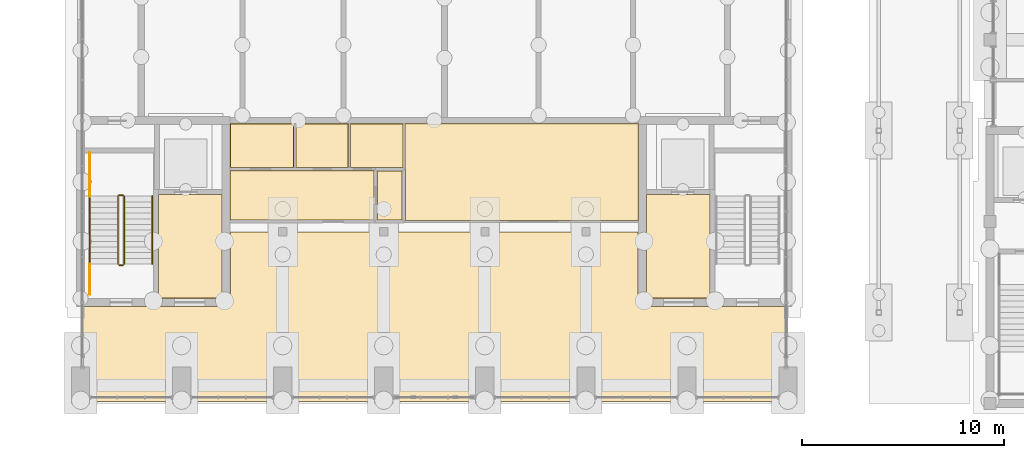
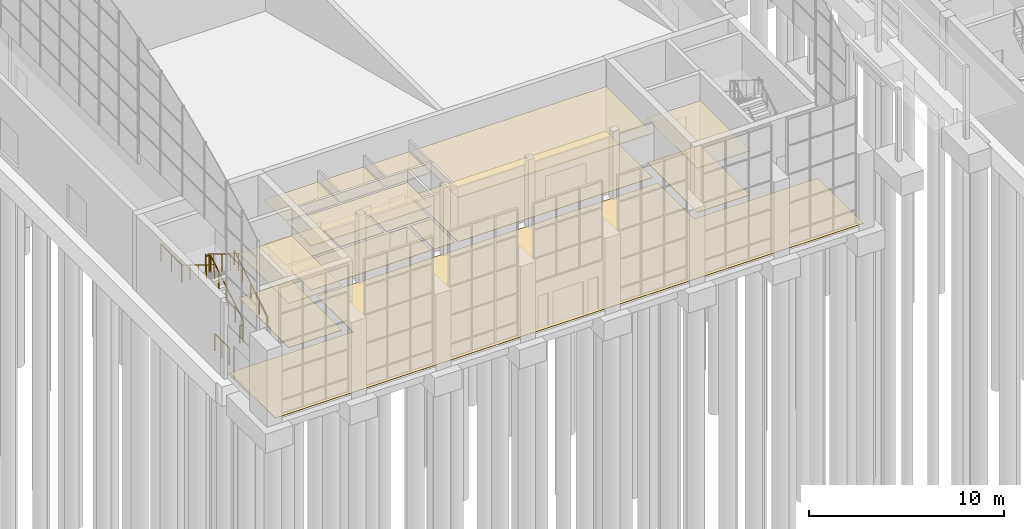
# One storey, part 83 of 106: 16 coverings, 8 railings.
"""IFC4 building model written with IfcOpenShell, lengths in metres."""

import ifcopenshell
import ifcopenshell.guid

model = None  # the IFC model being written
_history = None  # IfcOwnerHistory: only IFC2X3 demands one
_inside = {}  # id of a spatial element -> (the spatial element, [elements in it])
_under = {}  # id of a project, library or spatial element -> (it, [spatial elements below it])
_declared = {}  # id of a project -> (the project, [libraries it declares])
_typed = {}  # id of a type object -> (the type object, [elements of that type])
_made_of = {}  # id of a material, layer set ... -> (it, [elements and type objects made of it])


def new_model(schema):
    """Start an empty IFC model of exactly this schema.

    Asked for "IFC4X3", IfcOpenShell would pick the latest addendum, in which some entities
    have other attributes; the version numbers below select the first issue.
    IFC2X3 requires an IfcOwnerHistory on every rooted entity: one is made here for all.
    """
    global model, _history
    if schema == "IFC4X3":
        model = ifcopenshell.file(schema_version=(4, 3, 0, 0))
    else:
        model = ifcopenshell.file(schema=schema)
    _inside.clear()
    _under.clear()
    _declared.clear()
    _typed.clear()
    _made_of.clear()
    _history = None
    if model.schema == "IFC2X3":
        org = make("IfcOrganization", Name="unknown")
        user = make(
            "IfcPersonAndOrganization",
            ThePerson=make("IfcPerson", FamilyName="unknown"),
            TheOrganization=org,
        )
        app = make(
            "IfcApplication",
            ApplicationDeveloper=org,
            Version="unknown",
            ApplicationFullName="unknown",
            ApplicationIdentifier="unknown",
        )
        _history = make(
            "IfcOwnerHistory",
            OwningUser=user,
            OwningApplication=app,
            ChangeAction="ADDED",
            CreationDate=0,
        )
    return model


def make(cls, **values):
    """One entity of the class cls with the attributes given. An attribute that is None is left unset."""
    return model.create_entity(
        cls, **{name: value for name, value in values.items() if value is not None}
    )


def rooted(cls, **values):
    """An entity with a GlobalId (a new one), such as an element, a storey or a relation."""
    return make(cls, GlobalId=ifcopenshell.guid.new(), OwnerHistory=_history, **values)


def si_unit(unit_type, name, prefix=None):
    """IfcSIUnit, for example si_unit("LENGTHUNIT", "METRE", prefix="MILLI")."""
    return make("IfcSIUnit", UnitType=unit_type, Prefix=prefix, Name=name)


def assignment(units):
    """IfcUnitAssignment: the units of a project."""
    return None if units is None else make("IfcUnitAssignment", Units=units)


def point(xyz):
    """IfcCartesianPoint."""
    return None if xyz is None else make("IfcCartesianPoint", Coordinates=xyz)


def direction(xyz):
    """IfcDirection."""
    return None if xyz is None else make("IfcDirection", DirectionRatios=xyz)


def frame(location, z_axis=None, x_axis=None):
    """IfcAxis2Placement3D, a coordinate frame: its origin and axes. An axis left out is left unset."""
    return make(
        "IfcAxis2Placement3D",
        Location=point(location),
        Axis=direction(z_axis),
        RefDirection=direction(x_axis),
    )


def frame_2d(location, x_axis=None):
    """IfcAxis2Placement2D, a coordinate frame in the plane: its origin and x axis."""
    return make(
        "IfcAxis2Placement2D", Location=point(location), RefDirection=direction(x_axis)
    )


def origin():
    """The frame at (0, 0, 0) with its axes left unset."""
    return frame((0.0, 0.0, 0.0))


def origin_2d():
    """The frame at (0, 0) in the plane with its x axis left unset."""
    return frame_2d((0.0, 0.0))


def place(relative_to, where):
    """IfcLocalPlacement: puts the frame where relative to a parent placement (None: the world)."""
    return make(
        "IfcLocalPlacement", PlacementRelTo=relative_to, RelativePlacement=where
    )


def context(
    kind, dimensions, precision=None, world=None, true_north=None, identifier=None
):
    """IfcGeometricRepresentationContext, for example the 3D "Model" context."""
    return make(
        "IfcGeometricRepresentationContext",
        ContextIdentifier=identifier,
        ContextType=kind,
        CoordinateSpaceDimension=dimensions,
        Precision=precision,
        WorldCoordinateSystem=world,
        TrueNorth=true_north,
    )


def subcontext(parent, identifier, kind, view, scale=None):
    """IfcGeometricRepresentationSubContext, for example "Body" below "Model"."""
    return make(
        "IfcGeometricRepresentationSubContext",
        ContextIdentifier=identifier,
        ContextType=kind,
        ParentContext=parent,
        TargetScale=scale,
        TargetView=view,
    )


def project(units=None, contexts=None):
    """IfcProject with its units and contexts."""
    return rooted(
        "IfcProject",
        Name="project",
        RepresentationContexts=contexts,
        UnitsInContext=assignment(units),
    )


def spatial(cls, under=None, at=None, **own):
    """A site, building, storey or space (cls), placed at a placement, below another one or the project."""
    s = rooted(cls, ObjectPlacement=at, **own)
    if under is not None:
        _under.setdefault(under.id(), (under, []))[1].append(s)
    return s


def polyline(points):
    """IfcPolyline through the points."""
    return make("IfcPolyline", Points=[point(p) for p in points])


def profile(cls, at=None, kind="AREA", **sizes):
    """A parametric profile (cls). Its sizes go by their IFC names, for example OverallWidth=200.0."""
    return make(cls, ProfileType=kind, Position=at, **sizes)


def circle(**sizes):
    """IfcCircleProfileDef."""
    return profile("IfcCircleProfileDef", **sizes)


def outline(outer, holes=None, kind="AREA"):
    """IfcArbitraryClosedProfileDef: a profile drawn as a closed curve; with holes, ...WithVoids."""
    if holes is None:
        return make("IfcArbitraryClosedProfileDef", ProfileType=kind, OuterCurve=outer)
    return make(
        "IfcArbitraryProfileDefWithVoids",
        ProfileType=kind,
        OuterCurve=outer,
        InnerCurves=holes,
    )


def extrude(swept, where, along, depth):
    """IfcExtrudedAreaSolid: the profile swept, set in the frame where, extruded along a direction by depth."""
    return make(
        "IfcExtrudedAreaSolid",
        SweptArea=swept,
        Position=where,
        ExtrudedDirection=direction(along),
        Depth=depth,
    )


def shape(context_of_items, identifier, shape_type, items):
    """IfcShapeRepresentation: the items that make up one representation, for example the "Body"."""
    return make(
        "IfcShapeRepresentation",
        ContextOfItems=context_of_items,
        RepresentationIdentifier=identifier,
        RepresentationType=shape_type,
        Items=items,
    )


def material(Name=None, Category=None):
    """IfcMaterial."""
    return make("IfcMaterial", Name=Name, Category=Category)


def layer(
    of_material, thickness, ventilated=None, Name=None, Category=None, Priority=None
):
    """IfcMaterialLayer: one layer of a wall or slab, of a material (None: an air gap)."""
    return make(
        "IfcMaterialLayer",
        Material=of_material,
        LayerThickness=thickness,
        IsVentilated=ventilated,
        Name=Name,
        Category=Category,
        Priority=Priority,
    )


def layer_set(layers, Name=None):
    """IfcMaterialLayerSet."""
    return make("IfcMaterialLayerSet", MaterialLayers=layers, LayerSetName=Name)


def made_of(thing, what):
    """Note that an element or type object is made of a material, layer set ...; save() writes the relation."""
    if what is not None:
        _made_of.setdefault(what.id(), (what, []))[1].append(thing)
    return thing


def type_object(cls, material=None, **own):
    """A type object (cls), such as IfcWallType, which elements share."""
    return made_of(rooted(cls, **own), material)


def element(
    cls,
    number,
    at=None,
    inside=None,
    cuts=None,
    type_object=None,
    material=None,
    context=None,
    identifier="Body",
    shape_type=None,
    held_by="IfcProductDefinitionShape",
    body=None,
    shapes=None,
    **own,
):
    """One element of the class cls, such as IfcWall. Its Tag is "e" and its number.

    at: its placement. inside: the storey or other place that contains it. cuts: it is an
    opening in that element (IfcRelVoidsElement). A single representation is given by context,
    identifier, shape_type and body (its items); several are given by shapes. held_by: the class
    of the entity that holds the representations. save() writes the other relations.
    """
    e = rooted(cls, Tag="e%d" % number, ObjectPlacement=at, **own)
    if body is not None:
        shapes = [shape(context, identifier, shape_type, body)]
    if shapes is not None:
        e.Representation = make(held_by, Representations=shapes)
    if inside is not None:
        _inside.setdefault(inside.id(), (inside, []))[1].append(e)
    if cuts is not None:
        rooted(
            "IfcRelVoidsElement", RelatingBuildingElement=cuts, RelatedOpeningElement=e
        )
    if type_object is not None:
        _typed.setdefault(type_object.id(), (type_object, []))[1].append(e)
    return made_of(e, material)


def aggregate(whole, parts):
    """IfcRelAggregates: a whole, such as a stair, and the parts it consists of."""
    return rooted("IfcRelAggregates", RelatingObject=whole, RelatedObjects=parts)


def save(model, path):
    """Write the relations noted so far, then the file.

    IfcRelAggregates (storeys below a building ...), IfcRelContainedInSpatialStructure (elements
    in a storey), IfcRelDefinesByType, IfcRelAssociatesMaterial and IfcRelDeclares: one each for
    every whole, place, type object, material and project.
    """
    for whole, parts in _under.values():
        aggregate(whole, parts)
    for where, things in _inside.values():
        rooted(
            "IfcRelContainedInSpatialStructure",
            RelatedElements=things,
            RelatingStructure=where,
        )
    for kind, things in _typed.values():
        rooted("IfcRelDefinesByType", RelatedObjects=things, RelatingType=kind)
    for what, things in _made_of.values():
        rooted("IfcRelAssociatesMaterial", RelatedObjects=things, RelatingMaterial=what)
    for by, libraries in _declared.values():
        rooted("IfcRelDeclares", RelatingContext=by, RelatedDefinitions=libraries)
    model.write(path)


model = new_model("IFC4")

# Units and contexts
model_context = context("Model", 3, precision=1e-05, world=origin(), true_north=direction((0.0, 1.0)))
body_context = subcontext(model_context, "Body", "Model", "MODEL_VIEW")
ifc_project = project(units=[si_unit("LENGTHUNIT", "METRE"), si_unit("AREAUNIT", "SQUARE_METRE"), si_unit("VOLUMEUNIT", "CUBIC_METRE"), si_unit("PLANEANGLEUNIT", "RADIAN"), si_unit("MASSUNIT", "GRAM", prefix="KILO")], contexts=[model_context])

# Site, building, storey
site_placement = place(None, origin())
site = spatial("IfcSite", under=ifc_project, at=site_placement, CompositionType="ELEMENT")
building_placement = place(site_placement, origin())
building = spatial("IfcBuilding", under=site, at=building_placement, Name="Merrow Basin Faculty of Sciences", CompositionType="ELEMENT")
storey_placement = place(building_placement, origin())
storey = spatial("IfcBuildingStorey", under=building, at=storey_placement, Name="L00", CompositionType="ELEMENT", Elevation=0.0)

# Coverings
ifc_material_1 = material(Name="Ceramic floor tile")
ifc_layer_1 = layer(ifc_material_1, 0.02001953125)
ifc_layer_set_1 = layer_set([ifc_layer_1], Name="Ceramic floor tile")
covering_type_1 = type_object("IfcCoveringType", Name="Ceramic floor tile", PredefinedType="FLOORING", material=ifc_layer_set_1)
covering_1_placement = place(storey_placement, origin())
element("IfcCovering", 1, at=covering_1_placement, inside=storey, type_object=covering_type_1, Name="Floor finish L00-H-015", PredefinedType="FLOORING", context=body_context, shape_type="SweptSolid", body=[
    extrude(outline(polyline([(10.5400390625, 11.68505859375), (7.409912109375, 11.68505859375), (7.409912109375, 13.840087890625), (10.5400390625, 13.840087890625), (10.5400390625, 11.68505859375)])), origin(), (0.0, 0.0, 1.0), 0.02001953125),
])
covering_2_placement = place(storey_placement, origin())
element("IfcCovering", 2, at=covering_2_placement, inside=storey, type_object=covering_type_1, Name="Floor finish L00-H-016", PredefinedType="FLOORING", context=body_context, shape_type="SweptSolid", body=[
    extrude(outline(polyline([(10.659912109375, 11.68505859375), (10.659912109375, 13.840087890625), (13.239990234375, 13.840087890625), (13.239990234375, 11.68505859375), (10.659912109375, 11.68505859375)])), origin(), (0.0, 0.0, 1.0), 0.02001953125),
])
covering_3_placement = place(storey_placement, origin())
element("IfcCovering", 3, at=covering_3_placement, inside=storey, type_object=covering_type_1, Name="Floor finish L00-H-017", PredefinedType="FLOORING", context=body_context, shape_type="SweptSolid", body=[
    extrude(outline(polyline([(13.360107421875, 11.68505859375), (13.360107421875, 13.840087890625), (15.93994140625, 13.840087890625), (15.93994140625, 11.68505859375), (13.360107421875, 11.68505859375)])), origin(), (0.0, 0.0, 1.0), 0.02001953125),
])
ifc_material_2 = material(Name="Polished terrazzo floor")
ifc_layer_2 = layer(ifc_material_2, 0.02001953125)
ifc_layer_set_2 = layer_set([ifc_layer_2], Name="Polished terrazzo floor")
covering_type_2 = type_object("IfcCoveringType", Name="Polished terrazzo floor", PredefinedType="FLOORING", material=ifc_layer_set_2)
covering_4_placement = place(storey_placement, origin())
element("IfcCovering", 4, at=covering_4_placement, inside=storey, type_object=covering_type_2, Name="Floor finish L00-H-003", PredefinedType="FLOORING", context=body_context, shape_type="SweptSolid", body=[
    extrude(outline(polyline([(3.860107421875, 5.2099609375), (3.860107421875, 10.340087890625), (6.989990234375, 10.340087890625), (6.989990234375, 5.2099609375), (3.860107421875, 5.2099609375)])), origin(), (0.0, 0.0, 1.0), 0.02001953125),
])
covering_5_placement = place(storey_placement, origin())
element("IfcCovering", 5, at=covering_5_placement, inside=storey, type_object=covering_type_2, Name="Floor finish L00-H-007", PredefinedType="FLOORING", context=body_context, shape_type="SweptSolid", body=[
    extrude(outline(polyline([(31.139892578125, 5.2099609375), (28.010009765625, 5.2099609375), (28.010009765625, 10.340087890625), (31.139892578125, 10.340087890625), (31.139892578125, 5.2099609375)])), origin(), (0.0, 0.0, 1.0), 0.02001953125),
])
covering_6_placement = place(storey_placement, origin())
element("IfcCovering", 6, at=covering_6_placement, inside=storey, type_object=covering_type_2, Name="Floor finish L00-H-013", PredefinedType="FLOORING", context=body_context, shape_type="SweptSolid", body=[
    extrude(outline(polyline([(27.590087890625, 8.489990234375), (27.590087890625, 4.7900390625), (34.889892578125, 4.7900390625), (34.889892578125, 0.110107421875), (0.110107421875, 0.110107421875), (0.110107421875, 4.7900390625), (7.409912109375, 4.7900390625), (7.409912109375, 8.489990234375), (27.590087890625, 8.489990234375)])), origin(), (0.0, 0.0, 1.0), 0.02001953125),
])
covering_7_placement = place(storey_placement, origin())
element("IfcCovering", 7, at=covering_7_placement, inside=storey, type_object=covering_type_2, Name="Floor finish L00-H-014", PredefinedType="FLOORING", context=body_context, shape_type="SweptSolid", body=[
    extrude(outline(polyline([(7.409912109375, 9.0849609375), (7.409912109375, 11.514892578125), (14.514892578125, 11.514892578125), (14.514892578125, 9.0849609375), (7.409912109375, 9.0849609375)])), origin(), (0.0, 0.0, 1.0), 0.02001953125),
])
covering_8_placement = place(storey_placement, origin())
element("IfcCovering", 8, at=covering_8_placement, inside=storey, type_object=covering_type_2, Name="Floor finish L00-H-019", PredefinedType="FLOORING", context=body_context, shape_type="SweptSolid", body=[
    extrude(outline(polyline([(16.06005859375, 13.840087890625), (27.590087890625, 13.840087890625), (27.590087890625, 9.06005859375), (16.0849609375, 9.06005859375), (16.0849609375, 11.610107421875), (16.06005859375, 11.610107421875), (16.06005859375, 13.840087890625)])), origin(), (0.0, 0.0, 1.0), 0.02001953125),
])
ifc_material_3 = material(Name="Sealed concrete floor", Category="concrete")
ifc_layer_3 = layer(ifc_material_3, 0.02001953125)
ifc_layer_set_3 = layer_set([ifc_layer_3], Name="Sealed concrete floor")
covering_type_3 = type_object("IfcCoveringType", Name="Sealed concrete floor", PredefinedType="FLOORING", material=ifc_layer_set_3)
covering_9_placement = place(storey_placement, origin())
element("IfcCovering", 9, at=covering_9_placement, inside=storey, type_object=covering_type_3, Name="Floor finish L00-H-018", PredefinedType="FLOORING", context=body_context, shape_type="SweptSolid", body=[
    extrude(outline(polyline([(14.68505859375, 9.0849609375), (14.68505859375, 11.514892578125), (15.9150390625, 11.514892578125), (15.9150390625, 9.0849609375), (14.68505859375, 9.0849609375)])), origin(), (0.0, 0.0, 1.0), 0.02001953125),
])

# Railings
ifc_material_4 = material(Name="Steel ASTM A36", Category="steel")
railing_type_1 = type_object("IfcRailingType", Name="Steel guard 1100", PredefinedType="GUARDRAIL", material=ifc_material_4)
railing_1_placement = place(storey_placement, frame((2.14990234375, 6.89990234375, 0.173095703125)))
element("IfcRailing", 10, at=railing_1_placement, inside=storey, type_object=railing_type_1, Name="L00 ST-V1-W stair guard 1", PredefinedType="GUARDRAIL", context=body_context, shape_type="SweptSolid", body=[
    extrude(circle(Radius=0.02392578125, at=origin_2d()), frame((0.0, 0.0, 1.076171875), z_axis=(0.0, 0.850623216509, 0.525775754039), x_axis=(-1.0, 0.0, 0.0)), (0.0, 0.0, 1.0), 3.9501953125),
    extrude(circle(Radius=0.02099609375, at=origin_2d()), origin(), (0.0, 0.0, 1.0), 1.052001953125),
    extrude(circle(Radius=0.02099609375, at=origin_2d()), frame((0.0, 0.840087890625, 0.519287109375)), (0.0, 0.0, 1.0), 1.052001953125),
    extrude(circle(Radius=0.02099609375, at=origin_2d()), frame((0.0, 1.68017578125, 1.03857421875)), (0.0, 0.0, 1.0), 1.052001953125),
    extrude(circle(Radius=0.02099609375, at=origin_2d()), frame((0.0, 2.52001953125, 1.5576171875)), (0.0, 0.0, 1.0), 1.052001953125),
    extrude(circle(Radius=0.02099609375, at=origin_2d()), frame((0.0, 3.360107421875, 2.076904296875)), (0.0, 0.0, 1.0), 1.052001953125),
])
railing_2_placement = place(storey_placement, frame((2.10009765625, 10.31005859375, 2.25)))
element("IfcRailing", 11, at=railing_2_placement, inside=storey, type_object=railing_type_1, Name="L00 ST-V1-W stair guard 2", PredefinedType="GUARDRAIL", context=body_context, shape_type="SweptSolid", body=[
    extrude(circle(Radius=0.02392578125, at=origin_2d()), frame((0.0, 0.0, 1.076171875), z_axis=(-1.0, 0.0, 0.0), x_axis=(0.0, -1.0, 0.0)), (0.0, 0.0, 1.0), 0.2001953125),
    extrude(circle(Radius=0.02099609375, at=origin_2d()), origin(), (0.0, 0.0, 1.0), 1.052001953125),
    extrude(circle(Radius=0.02099609375, at=origin_2d()), frame((-0.2001953125, 0.0, 0.0)), (0.0, 0.0, 1.0), 1.052001953125),
])
railing_3_placement = place(storey_placement, frame((0.449951171875, 10.260009765625, 2.25)))
element("IfcRailing", 12, at=railing_3_placement, inside=storey, type_object=railing_type_1, Name="L00 ST-V1-W stair guard 3", PredefinedType="GUARDRAIL", context=body_context, shape_type="SweptSolid", body=[
    extrude(circle(Radius=0.02392578125, at=origin_2d()), frame((0.0, 0.0, 1.076171875), z_axis=(0.0, 1.0, 0.0), x_axis=(-1.0, 0.0, 0.0)), (0.0, 0.0, 1.0), 2.139892578125),
    extrude(circle(Radius=0.02099609375, at=origin_2d()), origin(), (0.0, 0.0, 1.0), 1.052001953125),
    extrude(circle(Radius=0.02099609375, at=origin_2d()), frame((0.0, 1.06982421875, 0.0)), (0.0, 0.0, 1.0), 1.052001953125),
    extrude(circle(Radius=0.02099609375, at=origin_2d()), frame((0.0, 2.139892578125, 0.0)), (0.0, 0.0, 1.0), 1.052001953125),
])
railing_4_placement = place(storey_placement, frame((1.85009765625, 10.260009765625, 2.423095703125)))
element("IfcRailing", 13, at=railing_4_placement, inside=storey, type_object=railing_type_1, Name="L00 ST-V1-W stair guard 4", PredefinedType="GUARDRAIL", context=body_context, shape_type="SweptSolid", body=[
    extrude(circle(Radius=0.02392578125, at=origin_2d()), frame((0.0, 0.0, 1.076171875), z_axis=(0.0, -0.850623216509, 0.525775754039), x_axis=(1.0, 0.0, 0.0)), (0.0, 0.0, 1.0), 3.9501953125),
    extrude(circle(Radius=0.02099609375, at=origin_2d()), origin(), (0.0, 0.0, 1.0), 1.052001953125),
    extrude(circle(Radius=0.02099609375, at=origin_2d()), frame((0.0, -0.840087890625, 0.519287109375)), (0.0, 0.0, 1.0), 1.052001953125),
    extrude(circle(Radius=0.02099609375, at=origin_2d()), frame((0.0, -1.68017578125, 1.03857421875)), (0.0, 0.0, 1.0), 1.052001953125),
    extrude(circle(Radius=0.02099609375, at=origin_2d()), frame((0.0, -2.52001953125, 1.5576171875)), (0.0, 0.0, 1.0), 1.052001953125),
    extrude(circle(Radius=0.02099609375, at=origin_2d()), frame((0.0, -3.360107421875, 2.076904296875)), (0.0, 0.0, 1.0), 1.052001953125),
])
railing_5_placement = place(storey_placement, frame((2.10009765625, 6.85009765625, 0.0)))
element("IfcRailing", 14, at=railing_5_placement, inside=storey, type_object=railing_type_1, Name="L00 ST-V1-W stair guard 5", PredefinedType="GUARDRAIL", context=body_context, shape_type="SweptSolid", body=[
    extrude(circle(Radius=0.02392578125, at=origin_2d()), frame((0.0, 0.0, 1.076171875), z_axis=(-1.0, 0.0, 0.0), x_axis=(0.0, -1.0, 0.0)), (0.0, 0.0, 1.0), 0.2001953125),
    extrude(circle(Radius=0.02099609375, at=origin_2d()), origin(), (0.0, 0.0, 1.0), 1.052001953125),
    extrude(circle(Radius=0.02099609375, at=origin_2d()), frame((-0.2001953125, 0.0, 0.0)), (0.0, 0.0, 1.0), 1.052001953125),
])
railing_6_placement = place(storey_placement, frame((0.449951171875, 5.39990234375, 0.0)))
element("IfcRailing", 15, at=railing_6_placement, inside=storey, type_object=railing_type_1, Name="L00 ST-V1-W stair guard 6", PredefinedType="GUARDRAIL", context=body_context, shape_type="SweptSolid", body=[
    extrude(circle(Radius=0.02392578125, at=origin_2d()), frame((0.0, 0.0, 1.076171875), z_axis=(0.0, 1.0, 0.0), x_axis=(-1.0, 0.0, 0.0)), (0.0, 0.0, 1.0), 1.5),
    extrude(circle(Radius=0.02099609375, at=origin_2d()), origin(), (0.0, 0.0, 1.0), 1.052001953125),
    extrude(circle(Radius=0.02099609375, at=origin_2d()), frame((0.0, 0.75, 0.0)), (0.0, 0.0, 1.0), 1.052001953125),
    extrude(circle(Radius=0.02099609375, at=origin_2d()), frame((0.0, 1.5, 0.0)), (0.0, 0.0, 1.0), 1.052001953125),
])
ifc_material_5 = material(Name="Steel ASTM A36", Category="steel")
railing_type_2 = type_object("IfcRailingType", Name="Steel handrail 900", PredefinedType="HANDRAIL", material=ifc_material_5)
railing_7_placement = place(storey_placement, frame((3.550048828125, 6.89990234375, 0.173095703125)))
element("IfcRailing", 16, at=railing_7_placement, inside=storey, type_object=railing_type_2, Name="L00 ST-V1-W stair handrail 1", PredefinedType="HANDRAIL", context=body_context, shape_type="SweptSolid", body=[
    extrude(circle(Radius=0.02392578125, at=origin_2d()), frame((0.0, 0.0, 0.8759765625), z_axis=(0.0, 0.850623216509, 0.525775754039), x_axis=(-1.0, 0.0, 0.0)), (0.0, 0.0, 1.0), 3.9501953125),
    extrude(circle(Radius=0.02099609375, at=origin_2d()), origin(), (0.0, 0.0, 1.0), 0.851806640625),
    extrude(circle(Radius=0.02099609375, at=origin_2d()), frame((0.0, 0.840087890625, 0.519287109375)), (0.0, 0.0, 1.0), 0.851806640625),
    extrude(circle(Radius=0.02099609375, at=origin_2d()), frame((0.0, 1.68017578125, 1.03857421875)), (0.0, 0.0, 1.0), 0.851806640625),
    extrude(circle(Radius=0.02099609375, at=origin_2d()), frame((0.0, 2.52001953125, 1.5576171875)), (0.0, 0.0, 1.0), 0.851806640625),
    extrude(circle(Radius=0.02099609375, at=origin_2d()), frame((0.0, 3.360107421875, 2.076904296875)), (0.0, 0.0, 1.0), 0.851806640625),
])
railing_8_placement = place(storey_placement, frame((0.449951171875, 10.260009765625, 2.423095703125)))
element("IfcRailing", 17, at=railing_8_placement, inside=storey, type_object=railing_type_2, Name="L00 ST-V1-W stair handrail 2", PredefinedType="HANDRAIL", context=body_context, shape_type="SweptSolid", body=[
    extrude(circle(Radius=0.02392578125, at=origin_2d()), frame((0.0, 0.0, 0.8759765625), z_axis=(0.0, -0.850623216509, 0.525775754039), x_axis=(1.0, 0.0, 0.0)), (0.0, 0.0, 1.0), 3.9501953125),
    extrude(circle(Radius=0.02099609375, at=origin_2d()), origin(), (0.0, 0.0, 1.0), 0.851806640625),
    extrude(circle(Radius=0.02099609375, at=origin_2d()), frame((0.0, -0.840087890625, 0.519287109375)), (0.0, 0.0, 1.0), 0.851806640625),
    extrude(circle(Radius=0.02099609375, at=origin_2d()), frame((0.0, -1.68017578125, 1.03857421875)), (0.0, 0.0, 1.0), 0.851806640625),
    extrude(circle(Radius=0.02099609375, at=origin_2d()), frame((0.0, -2.52001953125, 1.5576171875)), (0.0, 0.0, 1.0), 0.851806640625),
    extrude(circle(Radius=0.02099609375, at=origin_2d()), frame((0.0, -3.360107421875, 2.076904296875)), (0.0, 0.0, 1.0), 0.851806640625),
])

# Coverings
ifc_material_6 = material(Name="Mineral fibre ceiling tile")
ifc_layer_4 = layer(ifc_material_6, 0.050048828125)
ifc_layer_set_4 = layer_set([ifc_layer_4], Name="Suspended acoustic ceiling tile")
covering_type_4 = type_object("IfcCoveringType", Name="Suspended acoustic ceiling tile", PredefinedType="CEILING", material=ifc_layer_set_4)
covering_10_placement = place(storey_placement, frame((0.0, 0.0, 2.75)))
element("IfcCovering", 18, at=covering_10_placement, inside=storey, type_object=covering_type_4, Name="Ceiling L00-H-003", PredefinedType="CEILING", context=body_context, shape_type="SweptSolid", body=[
    extrude(outline(polyline([(3.85009765625, 5.199951171875), (3.85009765625, 10.35009765625), (7.0, 10.35009765625), (7.0, 5.199951171875), (3.85009765625, 5.199951171875)])), origin(), (0.0, 0.0, 1.0), 0.050048828125),
])
covering_11_placement = place(storey_placement, frame((0.0, 0.0, 2.75)))
element("IfcCovering", 19, at=covering_11_placement, inside=storey, type_object=covering_type_4, Name="Ceiling L00-H-007", PredefinedType="CEILING", context=body_context, shape_type="SweptSolid", body=[
    extrude(outline(polyline([(31.14990234375, 5.199951171875), (28.0, 5.199951171875), (28.0, 10.35009765625), (31.14990234375, 10.35009765625), (31.14990234375, 5.199951171875)])), origin(), (0.0, 0.0, 1.0), 0.050048828125),
])
covering_12_placement = place(storey_placement, frame((0.0, 0.0, 2.75)))
element("IfcCovering", 20, at=covering_12_placement, inside=storey, type_object=covering_type_4, Name="Ceiling L00-H-014", PredefinedType="CEILING", context=body_context, shape_type="SweptSolid", body=[
    extrude(outline(polyline([(7.39990234375, 9.074951171875), (7.39990234375, 11.52490234375), (14.52490234375, 11.52490234375), (14.52490234375, 9.074951171875), (7.39990234375, 9.074951171875)])), origin(), (0.0, 0.0, 1.0), 0.050048828125),
])
covering_13_placement = place(storey_placement, frame((0.0, 0.0, 2.75)))
element("IfcCovering", 21, at=covering_13_placement, inside=storey, type_object=covering_type_4, Name="Ceiling L00-H-015", PredefinedType="CEILING", context=body_context, shape_type="SweptSolid", body=[
    extrude(outline(polyline([(10.550048828125, 11.675048828125), (7.39990234375, 11.675048828125), (7.39990234375, 13.85009765625), (10.550048828125, 13.85009765625), (10.550048828125, 11.675048828125)])), origin(), (0.0, 0.0, 1.0), 0.050048828125),
])
covering_14_placement = place(storey_placement, frame((0.0, 0.0, 2.75)))
element("IfcCovering", 22, at=covering_14_placement, inside=storey, type_object=covering_type_4, Name="Ceiling L00-H-016", PredefinedType="CEILING", context=body_context, shape_type="SweptSolid", body=[
    extrude(outline(polyline([(10.64990234375, 11.675048828125), (10.64990234375, 13.85009765625), (13.25, 13.85009765625), (13.25, 11.675048828125), (10.64990234375, 11.675048828125)])), origin(), (0.0, 0.0, 1.0), 0.050048828125),
])
covering_15_placement = place(storey_placement, frame((0.0, 0.0, 2.75)))
element("IfcCovering", 23, at=covering_15_placement, inside=storey, type_object=covering_type_4, Name="Ceiling L00-H-017", PredefinedType="CEILING", context=body_context, shape_type="SweptSolid", body=[
    extrude(outline(polyline([(13.35009765625, 11.675048828125), (13.35009765625, 13.85009765625), (15.949951171875, 13.85009765625), (15.949951171875, 11.675048828125), (13.35009765625, 11.675048828125)])), origin(), (0.0, 0.0, 1.0), 0.050048828125),
])
covering_16_placement = place(storey_placement, frame((0.0, 0.0, 2.75)))
element("IfcCovering", 24, at=covering_16_placement, inside=storey, type_object=covering_type_4, Name="Ceiling L00-H-019", PredefinedType="CEILING", context=body_context, shape_type="SweptSolid", body=[
    extrude(outline(polyline([(16.050048828125, 13.85009765625), (27.60009765625, 13.85009765625), (27.60009765625, 9.050048828125), (16.074951171875, 9.050048828125), (16.074951171875, 11.60009765625), (16.050048828125, 11.60009765625), (16.050048828125, 13.85009765625)])), origin(), (0.0, 0.0, 1.0), 0.050048828125),
])

save(model, "model.ifc")
